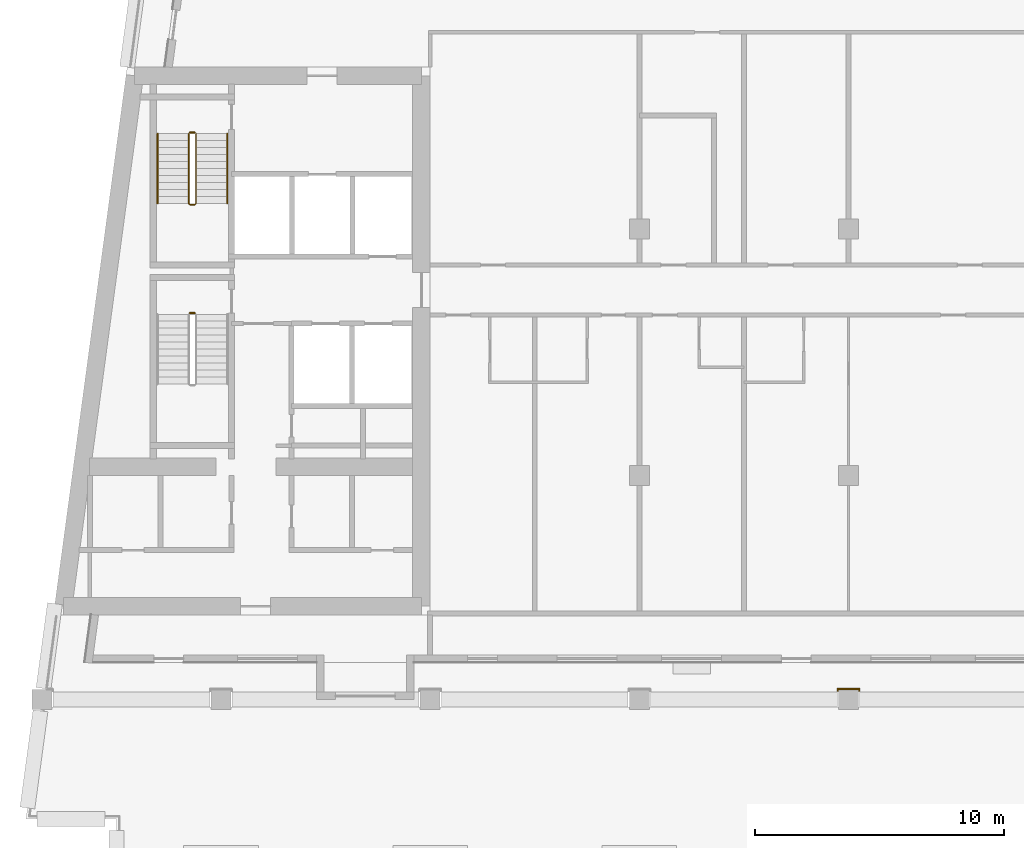
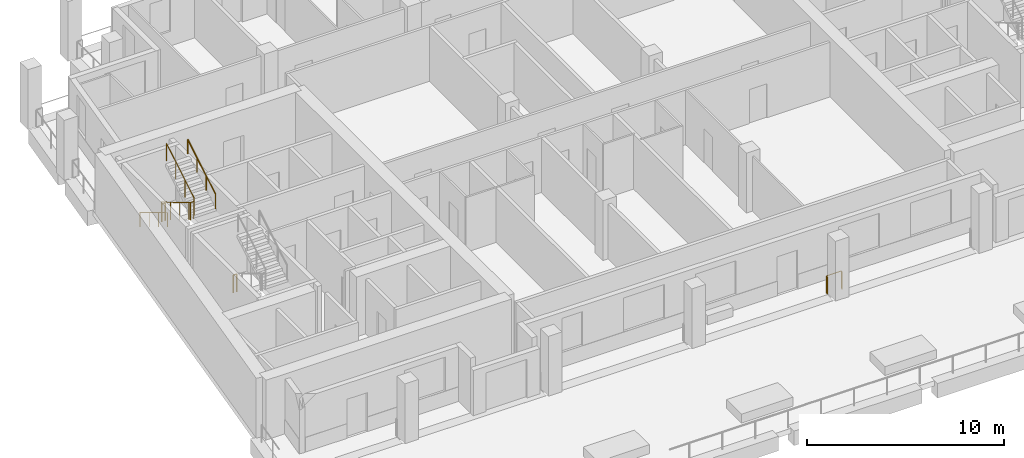
# One storey, part 9 of 12: 6 railings.
"""IFC4 building model written with IfcOpenShell, lengths in metres."""

from ifc_helpers import new_model, si_unit, direction, frame, origin, origin_2d, place, context, subcontext, project, spatial, circle, extrude, material, type_object, element, save


model = new_model("IFC4")

# Units and contexts
model_context = context("Model", 3, precision=1e-05, world=origin(), true_north=direction((0.0, 1.0)))
body_context = subcontext(model_context, "Body", "Model", "MODEL_VIEW")
ifc_project = project(units=[si_unit("LENGTHUNIT", "METRE"), si_unit("AREAUNIT", "SQUARE_METRE"), si_unit("VOLUMEUNIT", "CUBIC_METRE"), si_unit("PLANEANGLEUNIT", "RADIAN"), si_unit("MASSUNIT", "GRAM", prefix="KILO")], contexts=[model_context])

# Site, building, storey
site_placement = place(None, origin())
site = spatial("IfcSite", under=ifc_project, at=site_placement, CompositionType="ELEMENT")
building_placement = place(site_placement, origin())
building = spatial("IfcBuilding", under=site, at=building_placement, Name="Candeia Pilgrim Tower and Theatre", CompositionType="ELEMENT")
storey_placement = place(building_placement, frame((0.0, 0.0, 259.0)))
storey = spatial("IfcBuildingStorey", under=building, at=storey_placement, Name="L62", CompositionType="ELEMENT", Elevation=259.0)

# Railings
ifc_material_1 = material(Name="Stainless steel balustrade", Category="steel")
railing_type_1 = type_object("IfcRailingType", Name="G1 loggia guard 1100", PredefinedType="GUARDRAIL", material=ifc_material_1)
railing_1_placement = place(storey_placement, frame((118.030029296875, 107.35009765625, 0.0)))
element("IfcRailing", 1, at=railing_1_placement, inside=storey, type_object=railing_type_1, Name="Guard L62.6", PredefinedType="GUARDRAIL", context=body_context, shape_type="SweptSolid", body=[
    extrude(circle(Radius=0.02392578125, at=origin_2d()), frame((0.0, 0.0, 1.076171875), z_axis=(0.0, 1.0, 0.0), x_axis=(-1.0, 0.0, 0.0)), (0.0, 0.0, 1.0), 0.079833984375),
    extrude(circle(Radius=0.02392578125, at=origin_2d()), frame((0.0, 0.079833984375, 1.076171875), z_axis=(-1.0, 0.0, 0.0), x_axis=(0.0, -1.0, 0.0)), (0.0, 0.0, 1.0), 0.860107421875),
    extrude(circle(Radius=0.02392578125, at=origin_2d()), frame((-0.860107421875, 0.079833984375, 1.076171875), z_axis=(0.0, -1.0, 0.0), x_axis=(1.0, 0.0, 0.0)), (0.0, 0.0, 1.0), 0.079833984375),
    extrude(circle(Radius=0.02099609375, at=origin_2d()), origin(), (0.0, 0.0, 1.0), 1.052001953125),
    extrude(circle(Radius=0.02099609375, at=origin_2d()), frame((0.0, 0.079833984375, 0.0)), (0.0, 0.0, 1.0), 1.052001953125),
    extrude(circle(Radius=0.02099609375, at=origin_2d()), frame((-0.860107421875, 0.079833984375, 0.0)), (0.0, 0.0, 1.0), 1.052001953125),
    extrude(circle(Radius=0.02099609375, at=origin_2d()), frame((-0.860107421875, 0.0, 0.0)), (0.0, 0.0, 1.0), 1.052001953125),
])
railing_type_2 = type_object("IfcRailingType", Name="RL-GUARD-1100", PredefinedType="GUARDRAIL", material=ifc_material_1)
railing_2_placement = place(storey_placement, frame((91.152099609375, 122.52490234375, 0.0)))
element("IfcRailing", 2, at=railing_2_placement, inside=storey, type_object=railing_type_2, Name="L62 ST1 stair guard 2", PredefinedType="GUARDRAIL", context=body_context, shape_type="SweptSolid", body=[
    extrude(circle(Radius=0.02392578125, at=origin_2d()), frame((0.0, 0.0, 1.076171875), z_axis=(1.0, 0.0, 0.0), x_axis=(0.0, 1.0, 0.0)), (0.0, 0.0, 1.0), 0.199951171875),
    extrude(circle(Radius=0.02099609375, at=origin_2d()), origin(), (0.0, 0.0, 1.0), 1.052001953125),
    extrude(circle(Radius=0.02099609375, at=origin_2d()), frame((0.199951171875, 0.0, 0.0)), (0.0, 0.0, 1.0), 1.052001953125),
])
railing_3_placement = place(storey_placement, frame((91.10205078125, 129.72509765625, 0.168212890625)))
element("IfcRailing", 3, at=railing_3_placement, inside=storey, type_object=railing_type_2, Name="L62 ST2 stair guard 1", PredefinedType="GUARDRAIL", context=body_context, shape_type="SweptSolid", body=[
    extrude(circle(Radius=0.02392578125, at=origin_2d()), frame((0.0, 0.0, 1.076171875), z_axis=(0.0, -0.857242210791, 0.514913383045), x_axis=(1.0, 0.0, 0.0)), (0.0, 0.0, 1.0), 3.266357421875),
    extrude(circle(Radius=0.02392578125, at=origin_2d()), frame((0.0, -2.800048828125, 2.7578125), z_axis=(0.707106781187, -0.707106781187, 0.0), x_axis=(0.707106781187, 0.707106781187, 0.0)), (0.0, 0.0, 1.0), 0.07080078125),
    extrude(circle(Radius=0.02392578125, at=origin_2d()), frame((0.050048828125, -2.85009765625, 2.7578125), z_axis=(1.0, 0.0, 0.0), x_axis=(0.0, 1.0, 0.0)), (0.0, 0.0, 1.0), 0.199951171875),
    extrude(circle(Radius=0.02392578125, at=origin_2d()), frame((0.25, -2.85009765625, 2.7578125), z_axis=(0.274582412415, 0.274582412415, 0.921525364591), x_axis=(-0.707106781187, 0.707106781187, 0.0)), (0.0, 0.0, 1.0), 0.182373046875),
    extrude(circle(Radius=0.02392578125, at=origin_2d()), frame((0.300048828125, -2.800048828125, 2.92578125), z_axis=(0.0, 0.857242210791, 0.514913383045), x_axis=(-1.0, 0.0, 0.0)), (0.0, 0.0, 1.0), 3.266357421875),
    extrude(circle(Radius=0.02099609375, at=origin_2d()), origin(), (0.0, 0.0, 1.0), 1.052001953125),
    extrude(circle(Radius=0.02099609375, at=origin_2d()), frame((0.0, -0.933349609375, 0.560546875)), (0.0, 0.0, 1.0), 1.052001953125),
    extrude(circle(Radius=0.02099609375, at=origin_2d()), frame((0.0, -1.86669921875, 1.121337890625)), (0.0, 0.0, 1.0), 1.052001953125),
    extrude(circle(Radius=0.02099609375, at=origin_2d()), frame((0.0, -2.800048828125, 1.681884765625)), (0.0, 0.0, 1.0), 1.052001953125),
    extrude(circle(Radius=0.02099609375, at=origin_2d()), frame((0.050048828125, -2.85009765625, 1.681884765625)), (0.0, 0.0, 1.0), 1.052001953125),
    extrude(circle(Radius=0.02099609375, at=origin_2d()), frame((0.25, -2.85009765625, 1.681884765625)), (0.0, 0.0, 1.0), 1.052001953125),
    extrude(circle(Radius=0.02099609375, at=origin_2d()), frame((0.300048828125, -2.800048828125, 1.849853515625)), (0.0, 0.0, 1.0), 1.052001953125),
    extrude(circle(Radius=0.02099609375, at=origin_2d()), frame((0.300048828125, -1.86669921875, 2.410400390625)), (0.0, 0.0, 1.0), 1.052001953125),
    extrude(circle(Radius=0.02099609375, at=origin_2d()), frame((0.300048828125, -0.933349609375, 2.97119140625)), (0.0, 0.0, 1.0), 1.052001953125),
    extrude(circle(Radius=0.02099609375, at=origin_2d()), frame((0.300048828125, 0.0, 3.53173828125)), (0.0, 0.0, 1.0), 1.052001953125),
])
railing_4_placement = place(storey_placement, frame((91.152099609375, 129.77490234375, 0.0)))
element("IfcRailing", 4, at=railing_4_placement, inside=storey, type_object=railing_type_2, Name="L62 ST2 stair guard 2", PredefinedType="GUARDRAIL", context=body_context, shape_type="SweptSolid", body=[
    extrude(circle(Radius=0.02392578125, at=origin_2d()), frame((0.0, 0.0, 1.076171875), z_axis=(1.0, 0.0, 0.0), x_axis=(0.0, 1.0, 0.0)), (0.0, 0.0, 1.0), 0.199951171875),
    extrude(circle(Radius=0.02099609375, at=origin_2d()), origin(), (0.0, 0.0, 1.0), 1.052001953125),
    extrude(circle(Radius=0.02099609375, at=origin_2d()), frame((0.199951171875, 0.0, 0.0)), (0.0, 0.0, 1.0), 1.052001953125),
])
ifc_material_2 = material(Name="Stainless steel handrail", Category="steel")
railing_type_3 = type_object("IfcRailingType", Name="RL-HANDRAIL-900", PredefinedType="HANDRAIL", material=ifc_material_2)
railing_5_placement = place(storey_placement, frame((89.85205078125, 129.72509765625, 0.168212890625)))
element("IfcRailing", 5, at=railing_5_placement, inside=storey, type_object=railing_type_3, Name="L62 ST2 stair handrail 1", PredefinedType="HANDRAIL", context=body_context, shape_type="SweptSolid", body=[
    extrude(circle(Radius=0.02392578125, at=origin_2d()), frame((0.0, 0.0, 0.8759765625), z_axis=(0.0, -0.857242210791, 0.514913383045), x_axis=(1.0, 0.0, 0.0)), (0.0, 0.0, 1.0), 3.266357421875),
    extrude(circle(Radius=0.02099609375, at=origin_2d()), origin(), (0.0, 0.0, 1.0), 0.851806640625),
    extrude(circle(Radius=0.02099609375, at=origin_2d()), frame((0.0, -0.933349609375, 0.560546875)), (0.0, 0.0, 1.0), 0.851806640625),
    extrude(circle(Radius=0.02099609375, at=origin_2d()), frame((0.0, -1.86669921875, 1.121337890625)), (0.0, 0.0, 1.0), 0.851806640625),
    extrude(circle(Radius=0.02099609375, at=origin_2d()), frame((0.0, -2.800048828125, 1.681884765625)), (0.0, 0.0, 1.0), 0.851806640625),
])
railing_6_placement = place(storey_placement, frame((92.652099609375, 126.925048828125, 2.01806640625)))
element("IfcRailing", 6, at=railing_6_placement, inside=storey, type_object=railing_type_3, Name="L62 ST2 stair handrail 2", PredefinedType="HANDRAIL", context=body_context, shape_type="SweptSolid", body=[
    extrude(circle(Radius=0.02392578125, at=origin_2d()), frame((0.0, 0.0, 0.8759765625), z_axis=(0.0, 0.857242210791, 0.514913383045), x_axis=(-1.0, 0.0, 0.0)), (0.0, 0.0, 1.0), 3.266357421875),
    extrude(circle(Radius=0.02099609375, at=origin_2d()), origin(), (0.0, 0.0, 1.0), 0.851806640625),
    extrude(circle(Radius=0.02099609375, at=origin_2d()), frame((0.0, 0.933349609375, 0.560546875)), (0.0, 0.0, 1.0), 0.851806640625),
    extrude(circle(Radius=0.02099609375, at=origin_2d()), frame((0.0, 1.86669921875, 1.121337890625)), (0.0, 0.0, 1.0), 0.851806640625),
    extrude(circle(Radius=0.02099609375, at=origin_2d()), frame((0.0, 2.800048828125, 1.681884765625)), (0.0, 0.0, 1.0), 0.851806640625),
])

save(model, "model.ifc")
